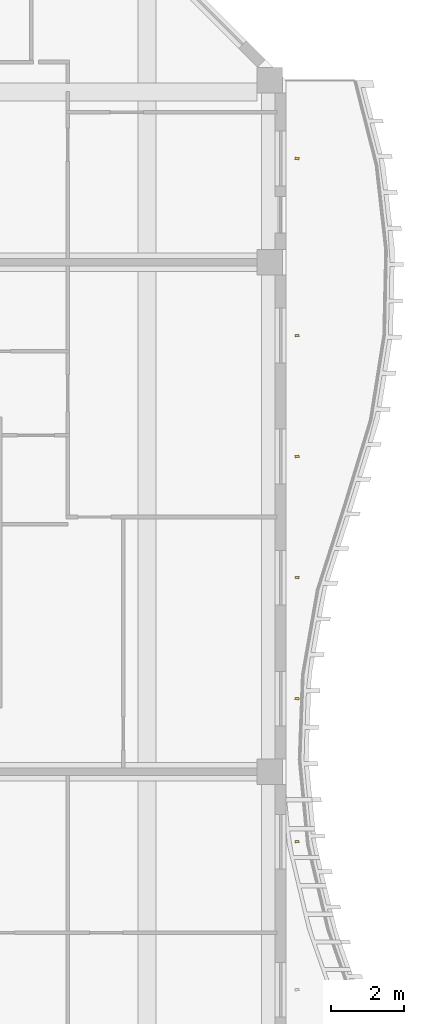
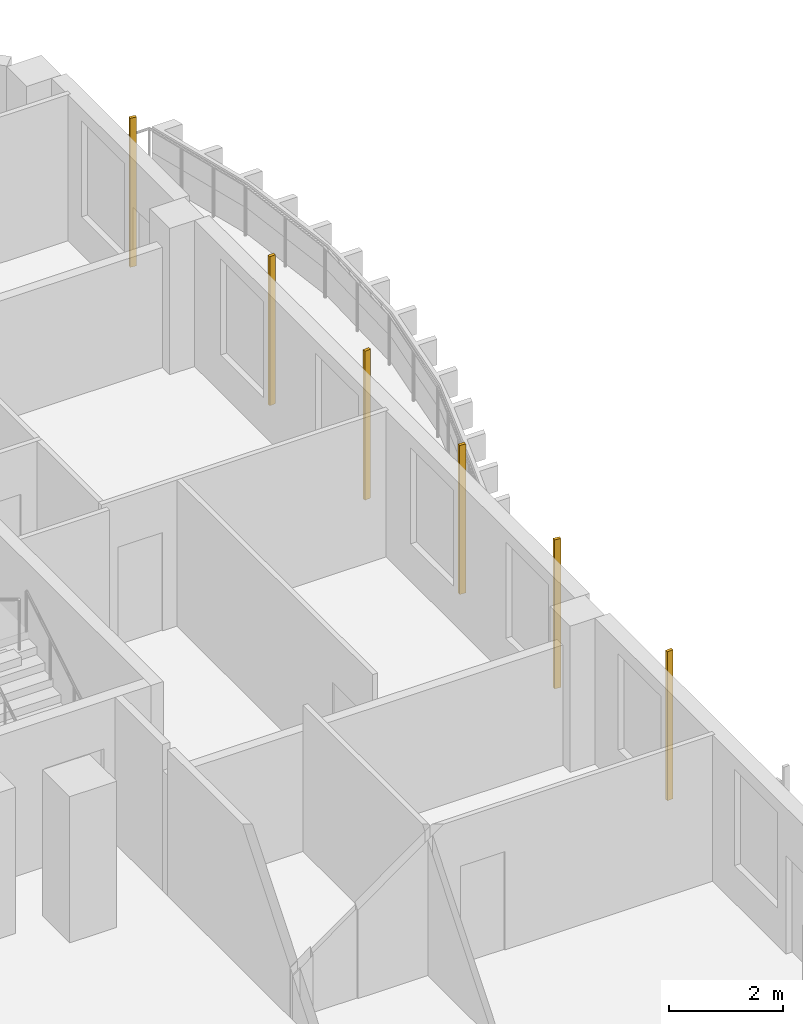
# One storey, part 19 of 19: 6 shading devices.
"""IFC4 building model written with IfcOpenShell, lengths in metres."""

from ifc_helpers import new_model, si_unit, direction, frame, origin, origin_2d, place, context, subcontext, project, spatial, rectangle, extrude, source, transform, mapped, material, material_profile, profile_set, type_object, element, save


model = new_model("IFC4")

# Units and contexts
model_context = context("Model", 3, precision=1e-05, world=origin(), true_north=direction((0.0, 1.0)))
body_context = subcontext(model_context, "Body", "Model", "MODEL_VIEW")
ifc_project = project(units=[si_unit("LENGTHUNIT", "METRE"), si_unit("AREAUNIT", "SQUARE_METRE"), si_unit("VOLUMEUNIT", "CUBIC_METRE"), si_unit("PLANEANGLEUNIT", "RADIAN"), si_unit("MASSUNIT", "GRAM", prefix="KILO")], contexts=[model_context])

# Site, building, storey
site_placement = place(None, origin())
site = spatial("IfcSite", under=ifc_project, at=site_placement, CompositionType="ELEMENT")
building_placement = place(site_placement, origin())
building = spatial("IfcBuilding", under=site, at=building_placement, Name="Kilnfold Tower and Market Hall", CompositionType="ELEMENT")
storey_placement = place(building_placement, frame((0.0, 0.0, 245.800048828125)))
storey = spatial("IfcBuildingStorey", under=building, at=storey_placement, Name="L59", CompositionType="ELEMENT", Elevation=245.800048828125)

# Shading devices
ifc_material = material(Name="Terracotta", Category="masonry")
ifc_material_profile = material_profile(ifc_material, rectangle(XDim=0.06005859375, YDim=0.1201171875, at=origin_2d()), Name="BAG 60x120")
ifc_profile_set = profile_set([ifc_material_profile], Name="Terracotta")
shading_device_type = type_object("IfcShadingDeviceType", Name="BAGUETTE", PredefinedType="USERDEFINED", material=ifc_profile_set)
shared_shape = source(origin(), body_context, "Body", "SweptSolid", [
    extrude(rectangle(XDim=0.06005859375, YDim=0.1201171875, at=origin_2d()), origin(), (0.0, 0.0, 1.0), 3.179931640625),
])
for number, where, z_axis, x_axis, name in (
    (1, (29.800048828125, 6.083251953125, 0.0), (0.0, 0.0, 1.0), (-0.072886582873, 0.997340235846, 0.0), "Terracotta baguette L59 E"),
    (2, (29.800048828125, 10.012451171875, 0.0), (0.0, 0.0, 1.0), (0.130443132672, 0.991455792831, 0.0), "Terracotta baguette L59 E"),
    (3, (29.800048828125, 13.33740234375, 0.0), (0.0, 0.0, 1.0), (0.058891711264, 0.998264376979, 0.0), "Terracotta baguette L59 E"),
    (4, (29.800048828125, 16.66259765625, 0.0), (0.0, 0.0, 1.0), (-0.121269938558, 0.992619565595, 0.0), "Terracotta baguette L59 E"),
    (5, (29.800048828125, 19.987548828125, 0.0), (0.0, 0.0, 1.0), (-0.07792318013, 0.996959366272, 0.0), "Terracotta baguette L59 E"),
    (6, (29.800048828125, 24.85009765625, 0.0), (0.0, 0.0, 1.0), (0.139148904105, 0.990271469086, 0.0), "Terracotta baguette L59 E"),
):
    element("IfcShadingDevice", number, at=place(storey_placement, frame(where, z_axis=z_axis, x_axis=x_axis)), inside=storey, type_object=shading_device_type, Name=name, ObjectType="BAGUETTE", PredefinedType="USERDEFINED", context=body_context, shape_type="MappedRepresentation", body=[
        mapped(shared_shape, transform((0.0, 0.0, 0.0))),
    ])

save(model, "model.ifc")
